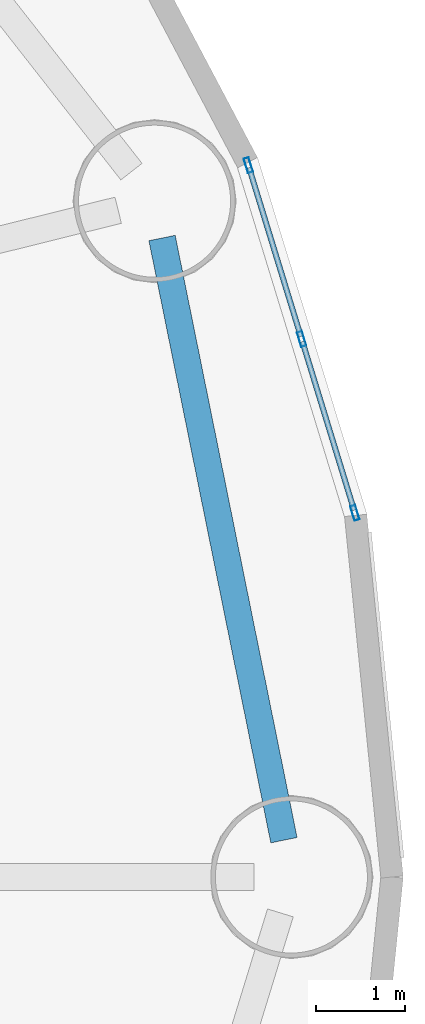
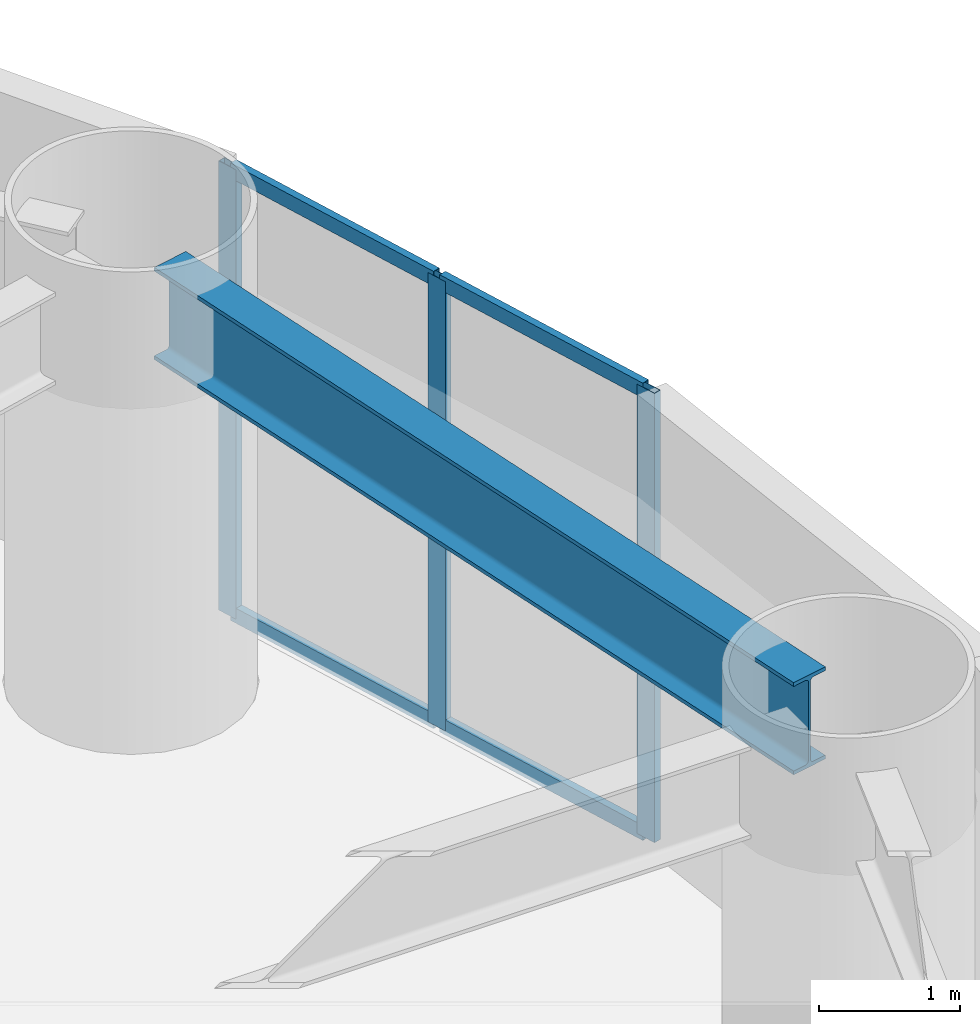
# One storey, part 11 of 27: 7 members, 1 beam, 1 element without a shape of its own.
"""IFC4 building model written with IfcOpenShell, lengths in metres."""

import ifcopenshell
import ifcopenshell.guid

model = None  # the IFC model being written
_history = None  # IfcOwnerHistory: only IFC2X3 demands one
_inside = {}  # id of a spatial element -> (the spatial element, [elements in it])
_under = {}  # id of a project, library or spatial element -> (it, [spatial elements below it])
_declared = {}  # id of a project -> (the project, [libraries it declares])
_typed = {}  # id of a type object -> (the type object, [elements of that type])
_made_of = {}  # id of a material, layer set ... -> (it, [elements and type objects made of it])


def new_model(schema):
    """Start an empty IFC model of exactly this schema.

    Asked for "IFC4X3", IfcOpenShell would pick the latest addendum, in which some entities
    have other attributes; the version numbers below select the first issue.
    IFC2X3 requires an IfcOwnerHistory on every rooted entity: one is made here for all.
    """
    global model, _history
    if schema == "IFC4X3":
        model = ifcopenshell.file(schema_version=(4, 3, 0, 0))
    else:
        model = ifcopenshell.file(schema=schema)
    _inside.clear()
    _under.clear()
    _declared.clear()
    _typed.clear()
    _made_of.clear()
    _history = None
    if model.schema == "IFC2X3":
        org = make("IfcOrganization", Name="unknown")
        user = make(
            "IfcPersonAndOrganization",
            ThePerson=make("IfcPerson", FamilyName="unknown"),
            TheOrganization=org,
        )
        app = make(
            "IfcApplication",
            ApplicationDeveloper=org,
            Version="unknown",
            ApplicationFullName="unknown",
            ApplicationIdentifier="unknown",
        )
        _history = make(
            "IfcOwnerHistory",
            OwningUser=user,
            OwningApplication=app,
            ChangeAction="ADDED",
            CreationDate=0,
        )
    return model


def make(cls, **values):
    """One entity of the class cls with the attributes given. An attribute that is None is left unset."""
    return model.create_entity(
        cls, **{name: value for name, value in values.items() if value is not None}
    )


def rooted(cls, **values):
    """An entity with a GlobalId (a new one), such as an element, a storey or a relation."""
    return make(cls, GlobalId=ifcopenshell.guid.new(), OwnerHistory=_history, **values)


def si_unit(unit_type, name, prefix=None):
    """IfcSIUnit, for example si_unit("LENGTHUNIT", "METRE", prefix="MILLI")."""
    return make("IfcSIUnit", UnitType=unit_type, Prefix=prefix, Name=name)


def assignment(units):
    """IfcUnitAssignment: the units of a project."""
    return None if units is None else make("IfcUnitAssignment", Units=units)


def point(xyz):
    """IfcCartesianPoint."""
    return None if xyz is None else make("IfcCartesianPoint", Coordinates=xyz)


def direction(xyz):
    """IfcDirection."""
    return None if xyz is None else make("IfcDirection", DirectionRatios=xyz)


def frame(location, z_axis=None, x_axis=None):
    """IfcAxis2Placement3D, a coordinate frame: its origin and axes. An axis left out is left unset."""
    return make(
        "IfcAxis2Placement3D",
        Location=point(location),
        Axis=direction(z_axis),
        RefDirection=direction(x_axis),
    )


def frame_2d(location, x_axis=None):
    """IfcAxis2Placement2D, a coordinate frame in the plane: its origin and x axis."""
    return make(
        "IfcAxis2Placement2D", Location=point(location), RefDirection=direction(x_axis)
    )


def origin():
    """The frame at (0, 0, 0) with its axes left unset."""
    return frame((0.0, 0.0, 0.0))


def origin_2d():
    """The frame at (0, 0) in the plane with its x axis left unset."""
    return frame_2d((0.0, 0.0))


def place(relative_to, where):
    """IfcLocalPlacement: puts the frame where relative to a parent placement (None: the world)."""
    return make(
        "IfcLocalPlacement", PlacementRelTo=relative_to, RelativePlacement=where
    )


def context(
    kind, dimensions, precision=None, world=None, true_north=None, identifier=None
):
    """IfcGeometricRepresentationContext, for example the 3D "Model" context."""
    return make(
        "IfcGeometricRepresentationContext",
        ContextIdentifier=identifier,
        ContextType=kind,
        CoordinateSpaceDimension=dimensions,
        Precision=precision,
        WorldCoordinateSystem=world,
        TrueNorth=true_north,
    )


def subcontext(parent, identifier, kind, view, scale=None):
    """IfcGeometricRepresentationSubContext, for example "Body" below "Model"."""
    return make(
        "IfcGeometricRepresentationSubContext",
        ContextIdentifier=identifier,
        ContextType=kind,
        ParentContext=parent,
        TargetScale=scale,
        TargetView=view,
    )


def project(units=None, contexts=None):
    """IfcProject with its units and contexts."""
    return rooted(
        "IfcProject",
        Name="project",
        RepresentationContexts=contexts,
        UnitsInContext=assignment(units),
    )


def spatial(cls, under=None, at=None, **own):
    """A site, building, storey or space (cls), placed at a placement, below another one or the project."""
    s = rooted(cls, ObjectPlacement=at, **own)
    if under is not None:
        _under.setdefault(under.id(), (under, []))[1].append(s)
    return s


def profile(cls, at=None, kind="AREA", **sizes):
    """A parametric profile (cls). Its sizes go by their IFC names, for example OverallWidth=200.0."""
    return make(cls, ProfileType=kind, Position=at, **sizes)


def hollow_rectangle(**sizes):
    """IfcRectangleHollowProfileDef."""
    return profile("IfcRectangleHollowProfileDef", **sizes)


def i_section(**sizes):
    """IfcIShapeProfileDef."""
    return profile("IfcIShapeProfileDef", **sizes)


def extrude(swept, where, along, depth):
    """IfcExtrudedAreaSolid: the profile swept, set in the frame where, extruded along a direction by depth."""
    return make(
        "IfcExtrudedAreaSolid",
        SweptArea=swept,
        Position=where,
        ExtrudedDirection=direction(along),
        Depth=depth,
    )


def shape(context_of_items, identifier, shape_type, items):
    """IfcShapeRepresentation: the items that make up one representation, for example the "Body"."""
    return make(
        "IfcShapeRepresentation",
        ContextOfItems=context_of_items,
        RepresentationIdentifier=identifier,
        RepresentationType=shape_type,
        Items=items,
    )


def source(mapping_origin, context_of_items, identifier, shape_type, items):
    """IfcRepresentationMap: a shape defined once, which mapped items show again and again."""
    return make(
        "IfcRepresentationMap",
        MappingOrigin=mapping_origin,
        MappedRepresentation=shape(context_of_items, identifier, shape_type, items),
    )


def transform(
    local_origin,
    x_axis=None,
    y_axis=None,
    z_axis=None,
    scale=None,
    scale2=None,
    scale3=None,
    uniform=True,
):
    """IfcCartesianTransformationOperator3D, or its non-uniform kind. x_axis, y_axis, z_axis: its Axis1, 2, 3."""
    if uniform:
        return make(
            "IfcCartesianTransformationOperator3D",
            Axis1=direction(x_axis),
            Axis2=direction(y_axis),
            LocalOrigin=point(local_origin),
            Scale=scale,
            Axis3=direction(z_axis),
        )
    return make(
        "IfcCartesianTransformationOperator3DnonUniform",
        Axis1=direction(x_axis),
        Axis2=direction(y_axis),
        LocalOrigin=point(local_origin),
        Scale=scale,
        Axis3=direction(z_axis),
        Scale2=scale2,
        Scale3=scale3,
    )


def mapped(mapping_source, mapping_target):
    """IfcMappedItem: shows the shape of a source again, moved by a transform."""
    return make(
        "IfcMappedItem", MappingSource=mapping_source, MappingTarget=mapping_target
    )


def material(Name=None, Category=None):
    """IfcMaterial."""
    return make("IfcMaterial", Name=Name, Category=Category)


def layer(
    of_material, thickness, ventilated=None, Name=None, Category=None, Priority=None
):
    """IfcMaterialLayer: one layer of a wall or slab, of a material (None: an air gap)."""
    return make(
        "IfcMaterialLayer",
        Material=of_material,
        LayerThickness=thickness,
        IsVentilated=ventilated,
        Name=Name,
        Category=Category,
        Priority=Priority,
    )


def layer_set(layers, Name=None):
    """IfcMaterialLayerSet."""
    return make("IfcMaterialLayerSet", MaterialLayers=layers, LayerSetName=Name)


def material_profile(
    of_material, cross_section, Name=None, Category=None, Priority=None
):
    """IfcMaterialProfile: a cross section and its material."""
    return make(
        "IfcMaterialProfile",
        Name=Name,
        Material=of_material,
        Profile=cross_section,
        Priority=Priority,
        Category=Category,
    )


def profile_set(profiles, Name=None, composite=None):
    """IfcMaterialProfileSet."""
    return make(
        "IfcMaterialProfileSet",
        Name=Name,
        MaterialProfiles=profiles,
        CompositeProfile=composite,
    )


def made_of(thing, what):
    """Note that an element or type object is made of a material, layer set ...; save() writes the relation."""
    if what is not None:
        _made_of.setdefault(what.id(), (what, []))[1].append(thing)
    return thing


def type_object(cls, material=None, **own):
    """A type object (cls), such as IfcWallType, which elements share."""
    return made_of(rooted(cls, **own), material)


def element(
    cls,
    number,
    at=None,
    inside=None,
    cuts=None,
    type_object=None,
    material=None,
    context=None,
    identifier="Body",
    shape_type=None,
    held_by="IfcProductDefinitionShape",
    body=None,
    shapes=None,
    **own,
):
    """One element of the class cls, such as IfcWall. Its Tag is "e" and its number.

    at: its placement. inside: the storey or other place that contains it. cuts: it is an
    opening in that element (IfcRelVoidsElement). A single representation is given by context,
    identifier, shape_type and body (its items); several are given by shapes. held_by: the class
    of the entity that holds the representations. save() writes the other relations.
    """
    e = rooted(cls, Tag="e%d" % number, ObjectPlacement=at, **own)
    if body is not None:
        shapes = [shape(context, identifier, shape_type, body)]
    if shapes is not None:
        e.Representation = make(held_by, Representations=shapes)
    if inside is not None:
        _inside.setdefault(inside.id(), (inside, []))[1].append(e)
    if cuts is not None:
        rooted(
            "IfcRelVoidsElement", RelatingBuildingElement=cuts, RelatedOpeningElement=e
        )
    if type_object is not None:
        _typed.setdefault(type_object.id(), (type_object, []))[1].append(e)
    return made_of(e, material)


def aggregate(whole, parts):
    """IfcRelAggregates: a whole, such as a stair, and the parts it consists of."""
    return rooted("IfcRelAggregates", RelatingObject=whole, RelatedObjects=parts)


def save(model, path):
    """Write the relations noted so far, then the file.

    IfcRelAggregates (storeys below a building ...), IfcRelContainedInSpatialStructure (elements
    in a storey), IfcRelDefinesByType, IfcRelAssociatesMaterial and IfcRelDeclares: one each for
    every whole, place, type object, material and project.
    """
    for whole, parts in _under.values():
        aggregate(whole, parts)
    for where, things in _inside.values():
        rooted(
            "IfcRelContainedInSpatialStructure",
            RelatedElements=things,
            RelatingStructure=where,
        )
    for kind, things in _typed.values():
        rooted("IfcRelDefinesByType", RelatedObjects=things, RelatingType=kind)
    for what, things in _made_of.values():
        rooted("IfcRelAssociatesMaterial", RelatedObjects=things, RelatingMaterial=what)
    for by, libraries in _declared.values():
        rooted("IfcRelDeclares", RelatingContext=by, RelatedDefinitions=libraries)
    model.write(path)


model = new_model("IFC4")

# Units and contexts
model_context = context("Model", 3, precision=1e-05, world=origin(), true_north=direction((0.0, 1.0)))
body_context = subcontext(model_context, "Body", "Model", "MODEL_VIEW")
ifc_project = project(units=[si_unit("LENGTHUNIT", "METRE"), si_unit("AREAUNIT", "SQUARE_METRE"), si_unit("VOLUMEUNIT", "CUBIC_METRE"), si_unit("PLANEANGLEUNIT", "RADIAN"), si_unit("MASSUNIT", "GRAM", prefix="KILO")], contexts=[model_context])

# Site, building, storey
site_placement = place(None, origin())
site = spatial("IfcSite", under=ifc_project, at=site_placement, CompositionType="ELEMENT")
building_placement = place(site_placement, origin())
building = spatial("IfcBuilding", under=site, at=building_placement, Name="Linh Dai School and Residence Tower", CompositionType="ELEMENT")
storey_placement = place(building_placement, frame((0.0, 0.0, 14.39990234375)))
storey = spatial("IfcBuildingStorey", under=building, at=storey_placement, Name="L03", CompositionType="ELEMENT", Elevation=14.39990234375)

# Beam
ifc_material_1 = material(Name="Structural Steel S355JR", Category="steel")
ifc_material_profile_1 = material_profile(ifc_material_1, i_section(OverallWidth=0.300048828125, OverallDepth=0.800048828125, WebThickness=0.017578125, FlangeThickness=0.032958984375, FilletRadius=0.030029296875, at=origin_2d()), Name="HEB 800")
ifc_profile_set_1 = profile_set([ifc_material_profile_1], Name="Structural Steel S355JR")
beam_type = type_object("IfcBeamType", Name="BM-RG8", PredefinedType="BEAM", material=ifc_profile_set_1)
beam_placement = place(storey_placement, frame((67.86669921875, 27.41162109375, 3.5), z_axis=(-0.198405440792, 0.980120034008, 0.0), x_axis=(-0.980120034008, -0.198405440792, 0.0)))
element("IfcBeam", 1, at=beam_placement, inside=storey, type_object=beam_type, Name="L03 Perimeter Elliptical Ring Beam 01", PredefinedType="BEAM", context=body_context, shape_type="SweptSolid", body=[
    extrude(i_section(OverallWidth=0.300048828125, OverallDepth=0.800048828125, WebThickness=0.017578125, FlangeThickness=0.032958984375, FilletRadius=0.030029296875, at=origin_2d()), origin(), (0.0, 0.0, 1.0), 6.86865234375),
])

# Curtain wall, members
ifc_material_2 = material(Name="Aluminium Anodised Curtain Wall", Category="aluminium")
ifc_layer = layer(ifc_material_2, 0.169921875)
ifc_layer_set = layer_set([ifc_layer], Name="Aluminium Anodised Curtain Wall")
curtain_wall_type = type_object("IfcCurtainWallType", Name="CW-SYS-2", PredefinedType="USERDEFINED", material=ifc_layer_set)
curtain_wall_placement = place(storey_placement, origin())
curtain_wall = element("IfcCurtainWall", 2, at=curtain_wall_placement, inside=storey, type_object=curtain_wall_type, Name="L03 CW2 Curtain Wall 02", ObjectType="UNITISED CURTAIN WALL", PredefinedType="USERDEFINED")
ifc_material_3 = material(Name="Aluminium Alloy 6063-T6", Category="aluminium")
ifc_material_profile_2 = material_profile(ifc_material_3, hollow_rectangle(XDim=0.06005859375, YDim=0.1298828125, WallThickness=0.00390625, at=origin_2d()), Name="RHS 130x60x4")
ifc_profile_set_2 = profile_set([ifc_material_profile_2], Name="Aluminium Alloy 6063-T6")
member_type_1 = type_object("IfcMemberType", Name="CW-SYS-2-TRN", PredefinedType="USERDEFINED", material=ifc_profile_set_2)
shared_shape_1 = source(origin(), body_context, "Body", "SweptSolid", [
    extrude(hollow_rectangle(XDim=0.06005859375, YDim=0.1298828125, WallThickness=0.00390625, at=origin_2d()), origin(), (0.0, 0.0, 1.0), 1.97265625),
])
member_1_placement = place(storey_placement, frame((67.477294921875, 34.92919921875, 0.030029296875), z_axis=(0.293076828505, -0.956088893667, 0.0), x_axis=(0.956088893667, 0.293076828505, 0.0)))
member_1 = element("IfcMember", 3, at=member_1_placement, type_object=member_type_1, Name="CW2 transom 1.1", ObjectType="TRANSOM", PredefinedType="USERDEFINED", context=body_context, shape_type="MappedRepresentation", body=[
    mapped(shared_shape_1, transform((0.0, 0.0, 0.0), x_axis=(1.0, 0.0, 0.0), y_axis=(0.0, 1.0, 0.0), z_axis=(0.0, 0.0, 1.0), scale=1.0)),
])
member_2_placement = place(storey_placement, frame((67.477294921875, 34.92919921875, 3.8701171875), z_axis=(0.293076828505, -0.956088893667, 0.0), x_axis=(0.956088893667, 0.293076828505, 0.0)))
member_2 = element("IfcMember", 4, at=member_2_placement, type_object=member_type_1, Name="CW2 transom 1.2", ObjectType="TRANSOM", PredefinedType="USERDEFINED", context=body_context, shape_type="MappedRepresentation", body=[
    mapped(shared_shape_1, transform((0.0, 0.0, 0.0), x_axis=(1.0, 0.0, 0.0), y_axis=(0.0, 1.0, 0.0), z_axis=(0.0, 0.0, 1.0), scale=1.0)),
])
member_3_placement = place(storey_placement, frame((68.072998046875, 32.98583984375, 0.030029296875), z_axis=(0.293076828505, -0.956088893667, 0.0), x_axis=(0.956088893667, 0.293076828505, 0.0)))
member_3 = element("IfcMember", 5, at=member_3_placement, type_object=member_type_1, Name="CW2 transom 2.1", ObjectType="TRANSOM", PredefinedType="USERDEFINED", context=body_context, shape_type="MappedRepresentation", body=[
    mapped(shared_shape_1, transform((0.0, 0.0, 0.0), x_axis=(1.0, 0.0, 0.0), y_axis=(0.0, 1.0, 0.0), z_axis=(0.0, 0.0, 1.0), scale=1.0)),
])
member_4_placement = place(storey_placement, frame((68.072998046875, 32.98583984375, 3.8701171875), z_axis=(0.293076828505, -0.956088893667, 0.0), x_axis=(0.956088893667, 0.293076828505, 0.0)))
member_4 = element("IfcMember", 6, at=member_4_placement, type_object=member_type_1, Name="CW2 transom 2.2", ObjectType="TRANSOM", PredefinedType="USERDEFINED", context=body_context, shape_type="MappedRepresentation", body=[
    mapped(shared_shape_1, transform((0.0, 0.0, 0.0), x_axis=(1.0, 0.0, 0.0), y_axis=(0.0, 1.0, 0.0), z_axis=(0.0, 0.0, 1.0), scale=1.0)),
])
ifc_material_profile_3 = material_profile(ifc_material_3, hollow_rectangle(XDim=0.06005859375, YDim=0.169921875, WallThickness=0.00390625, at=origin_2d()), Name="RHS 170x60x4")
ifc_profile_set_3 = profile_set([ifc_material_profile_3], Name="Aluminium Alloy 6063-T6")
member_type_2 = type_object("IfcMemberType", Name="CW-SYS-2-MUL", PredefinedType="MULLION", material=ifc_profile_set_3)
shared_shape_2 = source(origin(), body_context, "Body", "SweptSolid", [
    extrude(hollow_rectangle(XDim=0.06005859375, YDim=0.169921875, WallThickness=0.00390625, at=origin_2d()), origin(), (0.0, 0.0, 1.0), 3.900146484375),
])
member_5_placement = place(storey_placement, frame((67.468505859375, 34.957763671875, 0.0), z_axis=(0.0, 0.0, 1.0), x_axis=(0.956080668415, 0.293103659962, 0.0)))
member_5 = element("IfcMember", 7, at=member_5_placement, type_object=member_type_2, Name="CW2 mullion 1", PredefinedType="MULLION", context=body_context, shape_type="MappedRepresentation", body=[
    mapped(shared_shape_2, transform((0.0, 0.0, 0.0), x_axis=(1.0, 0.0, 0.0), y_axis=(0.0, 1.0, 0.0), z_axis=(0.0, 0.0, 1.0), scale=1.0)),
])
member_6_placement = place(storey_placement, frame((68.064208984375, 33.0146484375, 0.0), z_axis=(0.0, 0.0, 1.0), x_axis=(0.956080668415, 0.293103659962, 0.0)))
member_6 = element("IfcMember", 8, at=member_6_placement, type_object=member_type_2, Name="CW2 mullion 2", PredefinedType="MULLION", context=body_context, shape_type="MappedRepresentation", body=[
    mapped(shared_shape_2, transform((0.0, 0.0, 0.0), x_axis=(1.0, 0.0, 0.0), y_axis=(0.0, 1.0, 0.0), z_axis=(0.0, 0.0, 1.0), scale=1.0)),
])
member_7_placement = place(storey_placement, frame((68.659912109375, 31.0712890625, 0.0), z_axis=(0.0, 0.0, 1.0), x_axis=(0.956080668415, 0.293103659962, 0.0)))
member_7 = element("IfcMember", 9, at=member_7_placement, type_object=member_type_2, Name="CW2 mullion 3", PredefinedType="MULLION", context=body_context, shape_type="MappedRepresentation", body=[
    mapped(shared_shape_2, transform((0.0, 0.0, 0.0), x_axis=(1.0, 0.0, 0.0), y_axis=(0.0, 1.0, 0.0), z_axis=(0.0, 0.0, 1.0), scale=1.0)),
])
aggregate(curtain_wall, [member_5, member_6, member_7, member_1, member_2, member_3, member_4])

save(model, "model.ifc")
